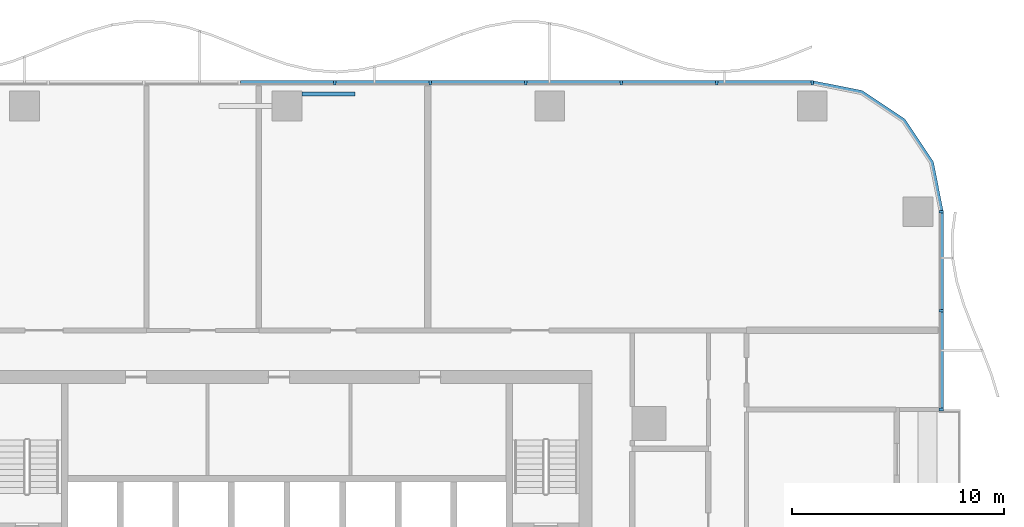
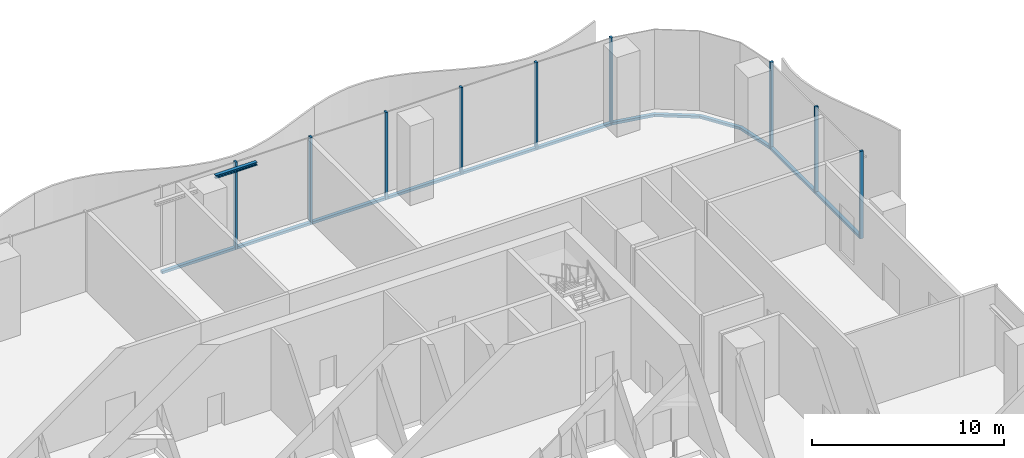
# One storey, part 5 of 20: 18 members, 1 beam, 3 elements without a shape of their own.
"""IFC4 building model written with IfcOpenShell, lengths in metres."""

from ifc_helpers import new_model, si_unit, direction, frame, origin, origin_2d, place, context, subcontext, project, spatial, polyline, rectangle, i_section, outline, extrude, material, material_profile, profile_set, type_object, element, aggregate, save


model = new_model("IFC4")

# Units and contexts
model_context = context("Model", 3, precision=1e-05, world=origin(), true_north=direction((0.0, 1.0)))
body_context = subcontext(model_context, "Body", "Model", "MODEL_VIEW")
ifc_project = project(units=[si_unit("LENGTHUNIT", "METRE"), si_unit("AREAUNIT", "SQUARE_METRE"), si_unit("VOLUMEUNIT", "CUBIC_METRE"), si_unit("PLANEANGLEUNIT", "RADIAN"), si_unit("MASSUNIT", "GRAM", prefix="KILO")], contexts=[model_context])

# Site, building, storey
site_placement = place(None, origin())
site = spatial("IfcSite", under=ifc_project, at=site_placement, CompositionType="ELEMENT")
building_placement = place(site_placement, origin())
building = spatial("IfcBuilding", under=site, at=building_placement, Name="Mopane Tessera Tower", CompositionType="ELEMENT")
storey_placement = place(building_placement, frame((0.0, 0.0, 25.5)))
storey = spatial("IfcBuildingStorey", under=building, at=storey_placement, Name="L04", CompositionType="ELEMENT", Elevation=25.5)

# Curtain wall, members
ifc_material_1 = material(Name="Aluminium frame", Category="aluminium")
curtain_wall_type = type_object("IfcCurtainWallType", Name="Podium unitised wall", PredefinedType="NOTDEFINED", material=ifc_material_1)
curtain_wall_1_placement = place(storey_placement, origin())
curtain_wall_1 = element("IfcCurtainWall", 1, at=curtain_wall_1_placement, inside=storey, type_object=curtain_wall_type, Name="e:cw:L04:E:7", PredefinedType="NOTDEFINED")
ifc_material_2 = material(Name="Aluminium frame", Category="aluminium")
ifc_material_profile_1 = material_profile(ifc_material_2, rectangle(XDim=0.125, YDim=0.199951171875, at=origin_2d()))
ifc_profile_set_1 = profile_set([ifc_material_profile_1], Name="Aluminium frame")
member_type_1 = type_object("IfcMemberType", Name="Aluminium mullion 125 x 200", PredefinedType="MULLION", material=ifc_profile_set_1)
member_1_placement = place(storey_placement, frame((30.89990234375, 11.666748046875, -0.5), z_axis=(0.0, 0.0, 1.0), x_axis=(0.0, 1.0, 0.0)))
member_1 = element("IfcMember", 2, at=member_1_placement, type_object=member_type_1, Name="e:cw:L04:E:7:mu7", PredefinedType="MULLION", context=body_context, shape_type="SweptSolid", body=[
    extrude(rectangle(XDim=0.125, YDim=0.199951171875, at=origin_2d()), origin(), (0.0, 0.0, 1.0), 5.550048828125),
])
member_2_placement = place(storey_placement, frame((30.89990234375, 16.333251953125, -0.5), z_axis=(0.0, 0.0, 1.0), x_axis=(0.0, 1.0, 0.0)))
member_2 = element("IfcMember", 3, at=member_2_placement, type_object=member_type_1, Name="e:cw:L04:E:7:mu8", PredefinedType="MULLION", context=body_context, shape_type="SweptSolid", body=[
    extrude(rectangle(XDim=0.125, YDim=0.199951171875, at=origin_2d()), origin(), (0.0, 0.0, 1.0), 5.550048828125),
])
member_3_placement = place(storey_placement, frame((30.89990234375, 21.0, -0.5), z_axis=(0.0, 0.0, 1.0), x_axis=(0.0, 1.0, 0.0)))
member_3 = element("IfcMember", 4, at=member_3_placement, type_object=member_type_1, Name="e:cw:L04:E:7:mu9", PredefinedType="MULLION", context=body_context, shape_type="SweptSolid", body=[
    extrude(rectangle(XDim=0.125, YDim=0.199951171875, at=origin_2d()), origin(), (0.0, 0.0, 1.0), 5.550048828125),
])

curtain_wall_2_placement = place(storey_placement, origin())
curtain_wall_2 = element("IfcCurtainWall", 5, at=curtain_wall_2_placement, inside=storey, type_object=curtain_wall_type, Name="e:cw:L04:N:0", PredefinedType="NOTDEFINED")
member_4_placement = place(storey_placement, frame((24.800048828125, 27.10009765625, -0.5), z_axis=(0.0, 0.0, 1.0), x_axis=(-1.0, 0.0, 0.0)))
member_4 = element("IfcMember", 6, at=member_4_placement, type_object=member_type_1, Name="e:cw:L04:N:0:mu0", PredefinedType="MULLION", context=body_context, shape_type="SweptSolid", body=[
    extrude(rectangle(XDim=0.125, YDim=0.199951171875, at=origin_2d()), origin(), (0.0, 0.0, 1.0), 5.550048828125),
])
member_5_placement = place(storey_placement, frame((20.291015625, 27.10009765625, -0.5), z_axis=(0.0, 0.0, 1.0), x_axis=(-1.0, 0.0, 0.0)))
member_5 = element("IfcMember", 7, at=member_5_placement, type_object=member_type_1, Name="e:cw:L04:N:0:mu1", PredefinedType="MULLION", context=body_context, shape_type="SweptSolid", body=[
    extrude(rectangle(XDim=0.125, YDim=0.199951171875, at=origin_2d()), origin(), (0.0, 0.0, 1.0), 5.550048828125),
])
member_6_placement = place(storey_placement, frame((15.78173828125, 27.10009765625, -0.5), z_axis=(0.0, 0.0, 1.0), x_axis=(-1.0, 0.0, 0.0)))
member_6 = element("IfcMember", 8, at=member_6_placement, type_object=member_type_1, Name="e:cw:L04:N:0:mu2", PredefinedType="MULLION", context=body_context, shape_type="SweptSolid", body=[
    extrude(rectangle(XDim=0.125, YDim=0.199951171875, at=origin_2d()), origin(), (0.0, 0.0, 1.0), 5.550048828125),
])
member_7_placement = place(storey_placement, frame((11.272705078125, 27.10009765625, -0.5), z_axis=(0.0, 0.0, 1.0), x_axis=(-1.0, 0.0, 0.0)))
member_7 = element("IfcMember", 9, at=member_7_placement, type_object=member_type_1, Name="e:cw:L04:N:0:mu3", PredefinedType="MULLION", context=body_context, shape_type="SweptSolid", body=[
    extrude(rectangle(XDim=0.125, YDim=0.199951171875, at=origin_2d()), origin(), (0.0, 0.0, 1.0), 5.550048828125),
])
member_8_placement = place(storey_placement, frame((6.763671875, 27.10009765625, -0.5), z_axis=(0.0, 0.0, 1.0), x_axis=(-1.0, 0.0, 0.0)))
member_8 = element("IfcMember", 10, at=member_8_placement, type_object=member_type_1, Name="e:cw:L04:N:0:mu4", PredefinedType="MULLION", context=body_context, shape_type="SweptSolid", body=[
    extrude(rectangle(XDim=0.125, YDim=0.199951171875, at=origin_2d()), origin(), (0.0, 0.0, 1.0), 5.550048828125),
])
member_9_placement = place(storey_placement, frame((2.254638671875, 27.10009765625, -0.5), z_axis=(0.0, 0.0, 1.0), x_axis=(-1.0, 0.0, 0.0)))
member_9 = element("IfcMember", 11, at=member_9_placement, type_object=member_type_1, Name="e:cw:L04:N:0:mu5", PredefinedType="MULLION", context=body_context, shape_type="SweptSolid", body=[
    extrude(rectangle(XDim=0.125, YDim=0.199951171875, at=origin_2d()), origin(), (0.0, 0.0, 1.0), 5.550048828125),
])

# Member
ifc_material_3 = material(Name="Aluminium frame", Category="aluminium")
ifc_material_profile_2 = material_profile(ifc_material_3, rectangle(XDim=0.199951171875, YDim=0.159912109375, at=origin_2d()))
ifc_profile_set_2 = profile_set([ifc_material_profile_2], Name="Aluminium frame")
member_type_2 = type_object("IfcMemberType", Name="Aluminium transom 200 x 160", PredefinedType="USERDEFINED", material=ifc_profile_set_2)
member_10_placement = place(storey_placement, frame((30.89990234375, 11.729248046875, -0.419921875), z_axis=(0.0, 1.0, 0.0), x_axis=(-1.0, 0.0, 0.0)))
member_10 = element("IfcMember", 12, at=member_10_placement, type_object=member_type_2, Name="e:cw:L04:E:7:tr7", ObjectType="TRANSOM", PredefinedType="USERDEFINED", context=body_context, shape_type="SweptSolid", body=[
    extrude(rectangle(XDim=0.199951171875, YDim=0.159912109375, at=origin_2d()), origin(), (0.0, 0.0, 1.0), 4.54150390625),
])

member_11_placement = place(storey_placement, frame((30.89990234375, 16.395751953125, -0.419921875), z_axis=(0.0, 1.0, 0.0), x_axis=(-1.0, 0.0, 0.0)))
member_11 = element("IfcMember", 13, at=member_11_placement, type_object=member_type_2, Name="e:cw:L04:E:7:tr8", ObjectType="TRANSOM", PredefinedType="USERDEFINED", context=body_context, shape_type="SweptSolid", body=[
    extrude(rectangle(XDim=0.199951171875, YDim=0.159912109375, at=origin_2d()), origin(), (0.0, 0.0, 1.0), 4.541748046875),
])

aggregate(curtain_wall_1, [member_1, member_2, member_3, member_10, member_11])

# Curtain wall, member
curtain_wall_3_placement = place(storey_placement, origin())
curtain_wall_3 = element("IfcCurtainWall", 14, at=curtain_wall_3_placement, inside=storey, type_object=curtain_wall_type, Name="e:cw:L04:CE", PredefinedType="NOTDEFINED")
member_12_placement = place(storey_placement, frame((0.0, 0.0, -0.5)))
member_12 = element("IfcMember", 15, at=member_12_placement, type_object=member_type_2, Name="e:cw:L04:CE:tr", ObjectType="TRANSOM", PredefinedType="USERDEFINED", context=body_context, shape_type="SweptSolid", body=[
    extrude(outline(polyline([(30.800048828125, 21.0), (30.34326171875, 23.296142578125), (29.042724609375, 25.24267578125), (27.09619140625, 26.543212890625), (24.800048828125, 27.0), (24.800048828125, 27.199951171875), (27.172607421875, 26.72802734375), (29.18408203125, 25.384033203125), (30.528076171875, 23.37255859375), (31.0, 21.0), (30.800048828125, 21.0)])), origin(), (0.0, 0.0, 1.0), 0.159912109375),
])
aggregate(curtain_wall_3, [member_12])

# Member
member_13_placement = place(storey_placement, frame((24.737548828125, 27.10009765625, -0.419921875), z_axis=(-1.0, 0.0, 0.0), x_axis=(0.0, -1.0, 0.0)))
member_13 = element("IfcMember", 16, at=member_13_placement, type_object=member_type_2, Name="e:cw:L04:N:0:tr0", ObjectType="TRANSOM", PredefinedType="USERDEFINED", context=body_context, shape_type="SweptSolid", body=[
    extrude(rectangle(XDim=0.199951171875, YDim=0.159912109375, at=origin_2d()), origin(), (0.0, 0.0, 1.0), 4.384033203125),
])

member_14_placement = place(storey_placement, frame((20.228515625, 27.10009765625, -0.419921875), z_axis=(-1.0, 0.0, 0.0), x_axis=(0.0, -1.0, 0.0)))
member_14 = element("IfcMember", 17, at=member_14_placement, type_object=member_type_2, Name="e:cw:L04:N:0:tr1", ObjectType="TRANSOM", PredefinedType="USERDEFINED", context=body_context, shape_type="SweptSolid", body=[
    extrude(rectangle(XDim=0.199951171875, YDim=0.159912109375, at=origin_2d()), origin(), (0.0, 0.0, 1.0), 4.38427734375),
])

member_15_placement = place(storey_placement, frame((15.71923828125, 27.10009765625, -0.419921875), z_axis=(-1.0, 0.0, 0.0), x_axis=(0.0, -1.0, 0.0)))
member_15 = element("IfcMember", 18, at=member_15_placement, type_object=member_type_2, Name="e:cw:L04:N:0:tr2", ObjectType="TRANSOM", PredefinedType="USERDEFINED", context=body_context, shape_type="SweptSolid", body=[
    extrude(rectangle(XDim=0.199951171875, YDim=0.159912109375, at=origin_2d()), origin(), (0.0, 0.0, 1.0), 4.384033203125),
])

member_16_placement = place(storey_placement, frame((11.210205078125, 27.10009765625, -0.419921875), z_axis=(-1.0, 0.0, 0.0), x_axis=(0.0, -1.0, 0.0)))
member_16 = element("IfcMember", 19, at=member_16_placement, type_object=member_type_2, Name="e:cw:L04:N:0:tr3", ObjectType="TRANSOM", PredefinedType="USERDEFINED", context=body_context, shape_type="SweptSolid", body=[
    extrude(rectangle(XDim=0.199951171875, YDim=0.159912109375, at=origin_2d()), origin(), (0.0, 0.0, 1.0), 4.384033203125),
])

member_17_placement = place(storey_placement, frame((6.701171875, 27.10009765625, -0.419921875), z_axis=(-1.0, 0.0, 0.0), x_axis=(0.0, -1.0, 0.0)))
member_17 = element("IfcMember", 20, at=member_17_placement, type_object=member_type_2, Name="e:cw:L04:N:0:tr4", ObjectType="TRANSOM", PredefinedType="USERDEFINED", context=body_context, shape_type="SweptSolid", body=[
    extrude(rectangle(XDim=0.199951171875, YDim=0.159912109375, at=origin_2d()), origin(), (0.0, 0.0, 1.0), 4.384033203125),
])

member_18_placement = place(storey_placement, frame((2.192138671875, 27.10009765625, -0.419921875), z_axis=(-1.0, 0.0, 0.0), x_axis=(0.0, -1.0, 0.0)))
member_18 = element("IfcMember", 21, at=member_18_placement, type_object=member_type_2, Name="e:cw:L04:N:0:tr5", ObjectType="TRANSOM", PredefinedType="USERDEFINED", context=body_context, shape_type="SweptSolid", body=[
    extrude(rectangle(XDim=0.199951171875, YDim=0.159912109375, at=origin_2d()), origin(), (0.0, 0.0, 1.0), 4.38427734375),
])

aggregate(curtain_wall_2, [member_4, member_5, member_6, member_7, member_8, member_9, member_13, member_14, member_15, member_16, member_17, member_18])

# Beam
ifc_material_4 = material(Name="Structural steel S460", Category="steel")
ifc_material_profile_3 = material_profile(ifc_material_4, i_section(OverallWidth=0.199951171875, OverallDepth=0.199951171875, WebThickness=0.009033203125, FlangeThickness=0.014892578125, FilletRadius=0.01806640625, at=origin_2d()))
ifc_profile_set_3 = profile_set([ifc_material_profile_3], Name="Structural steel S460")
beam_type = type_object("IfcBeamType", Name="Terrace trimmer beam HE 200 B", PredefinedType="BEAM", material=ifc_profile_set_3)
beam_placement = place(storey_placement, frame((0.702880859375, 26.56005859375, 4.949951171875), z_axis=(1.0, 0.0, 0.0), x_axis=(0.0, 1.0, 0.0)))
element("IfcBeam", 22, at=beam_placement, inside=storey, type_object=beam_type, Name="Terrace trimmer beam N2 L05", PredefinedType="BEAM", context=body_context, shape_type="SweptSolid", body=[
    extrude(i_section(OverallWidth=0.199951171875, OverallDepth=0.199951171875, WebThickness=0.009033203125, FlangeThickness=0.014892578125, FilletRadius=0.01806640625, at=origin_2d()), origin(), (0.0, 0.0, 1.0), 2.5),
])

save(model, "model.ifc")
